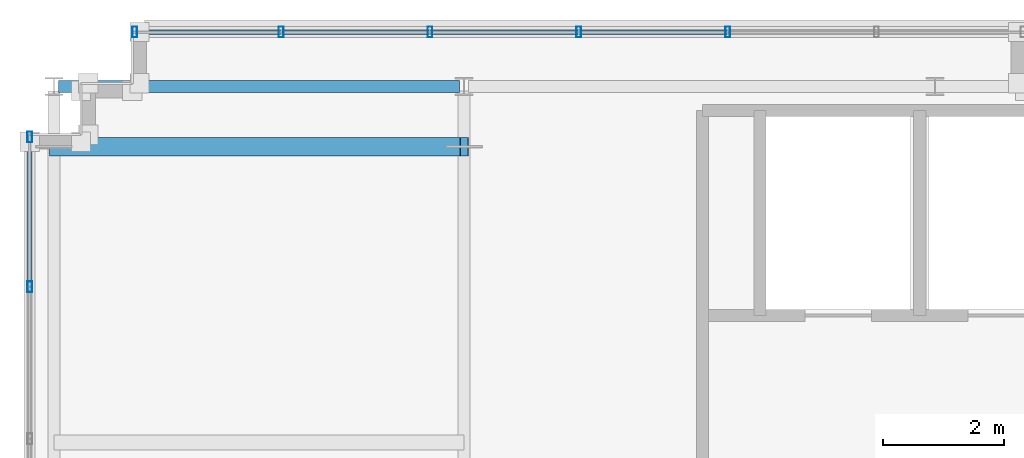
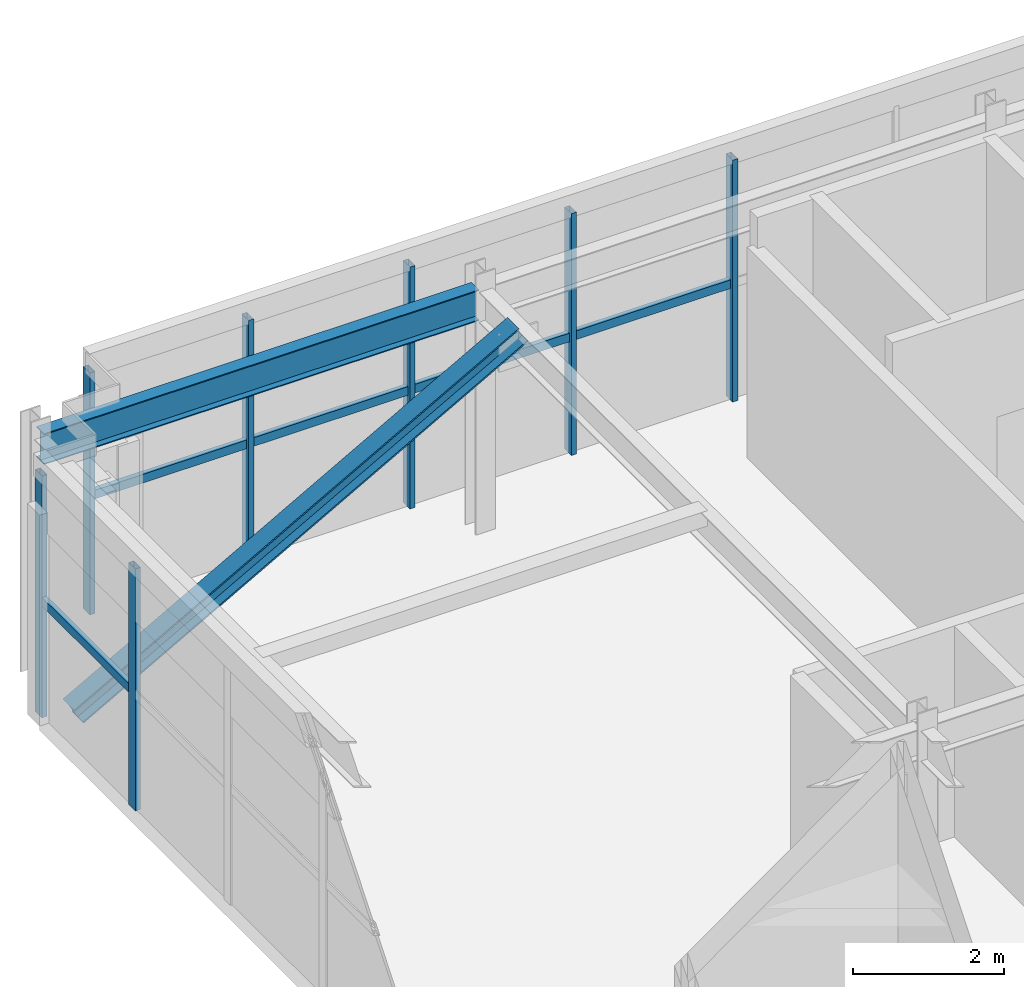
# One storey, part 9 of 25: 13 members, 1 beam, 2 elements without a shape of their own.
"""IFC4 building model written with IfcOpenShell, lengths in metres."""

from ifc_helpers import new_model, si_unit, direction, frame, origin, origin_2d, place, context, subcontext, project, spatial, hollow_rectangle, i_section, extrude, source, transform, mapped, material, material_profile, profile_set, type_object, element, aggregate, save


model = new_model("IFC4")

# Units and contexts
model_context = context("Model", 3, precision=1e-05, world=origin(), true_north=direction((0.0, 1.0)))
body_context = subcontext(model_context, "Body", "Model", "MODEL_VIEW")
ifc_project = project(units=[si_unit("LENGTHUNIT", "METRE"), si_unit("AREAUNIT", "SQUARE_METRE"), si_unit("VOLUMEUNIT", "CUBIC_METRE"), si_unit("PLANEANGLEUNIT", "RADIAN"), si_unit("MASSUNIT", "GRAM", prefix="KILO")], contexts=[model_context])

# Site, building, storey
site_placement = place(None, origin())
site = spatial("IfcSite", under=ifc_project, at=site_placement, CompositionType="ELEMENT")
building_placement = place(site_placement, origin())
building = spatial("IfcBuilding", under=site, at=building_placement, Name="Trelvane Seafront Commons", CompositionType="ELEMENT")
storey_placement = place(building_placement, frame((0.0, 0.0, 316.699951171875)))
storey = spatial("IfcBuildingStorey", under=building, at=storey_placement, Name="L82", CompositionType="ELEMENT", Elevation=316.699951171875)

# Beam
ifc_material_1 = material(Name="Steel SM355 (S355)", Category="steel")
ifc_material_profile_1 = material_profile(ifc_material_1, i_section(OverallWidth=0.199951171875, OverallDepth=0.5, WebThickness=0.010009765625, FlangeThickness=0.01611328125, at=origin_2d()), Name="H-500x200x10x16")
ifc_profile_set_1 = profile_set([ifc_material_profile_1], Name="Steel SM355 (S355)")
beam_type = type_object("IfcBeamType", Name="STR-CROWN-FRAME-RING", PredefinedType="SPANDREL", material=ifc_profile_set_1)
shared_shape_1 = source(origin(), body_context, "Body", "SweptSolid", [
    extrude(i_section(OverallWidth=0.199951171875, OverallDepth=0.5, WebThickness=0.010009765625, FlangeThickness=0.01611328125, at=origin_2d()), origin(), (0.0, 0.0, 1.0), 6.64990234375),
])
beam_placement = place(storey_placement, frame((8.875, 45.10009765625, 3.66015625), z_axis=(1.0, 0.0, 0.0), x_axis=(0.0, 1.0, 0.0)))
element("IfcBeam", 1, at=beam_placement, inside=storey, type_object=beam_type, Name="L82 CROWN FRAME Ring Beam G-09", PredefinedType="SPANDREL", context=body_context, shape_type="MappedRepresentation", body=[
    mapped(shared_shape_1, transform((0.0, 0.0, 0.0), x_axis=(1.0, 0.0, 0.0), y_axis=(0.0, 1.0, 0.0), z_axis=(0.0, 0.0, 1.0), scale=1.0)),
])

# Member
ifc_material_profile_2 = material_profile(ifc_material_1, i_section(OverallWidth=0.300048828125, OverallDepth=0.300048828125, WebThickness=0.014892578125, FlangeThickness=0.02392578125, at=origin_2d()), Name="HD-300x300x15x24")
ifc_profile_set_2 = profile_set([ifc_material_profile_2], Name="Steel SM355 (S355)")
member_type_1 = type_object("IfcMemberType", Name="STR-CROWN-FRAME-BRC", PredefinedType="BRACE", material=ifc_profile_set_2)
shared_shape_2 = source(origin(), body_context, "Body", "SweptSolid", [
    extrude(i_section(OverallWidth=0.300048828125, OverallDepth=0.300048828125, WebThickness=0.014892578125, FlangeThickness=0.02392578125, at=origin_2d()), origin(), (0.0, 0.0, 1.0), 7.784912109375),
])
member_1_placement = place(storey_placement, frame((8.800048828125, 44.10009765625, 0.0), z_axis=(0.873489296965, 0.0, 0.486843350666), x_axis=(0.0, 1.0, 0.0)))
element("IfcMember", 2, at=member_1_placement, inside=storey, type_object=member_type_1, Name="L82 CROWN FRAME Diagonal Brace CW", PredefinedType="BRACE", context=body_context, shape_type="MappedRepresentation", body=[
    mapped(shared_shape_2, transform((0.0, 0.0, 0.0), x_axis=(1.0, 0.0, 0.0), y_axis=(0.0, 1.0, 0.0), z_axis=(0.0, 0.0, 1.0), scale=1.0)),
])

# Curtain wall, members
ifc_material_2 = material(Name="Anodised pale-silver aluminium", Category="aluminium")
curtain_wall_type = type_object("IfcCurtainWallType", Name="ARCH-CW6-CROWN", PredefinedType="NOTDEFINED", material=ifc_material_2)
curtain_wall_1_placement = place(storey_placement, origin())
curtain_wall_1 = element("IfcCurtainWall", 3, at=curtain_wall_1_placement, inside=storey, type_object=curtain_wall_type, Name="CW-L82-0152", PredefinedType="NOTDEFINED")
ifc_material_profile_3 = material_profile(ifc_material_2, hollow_rectangle(XDim=0.080078125, YDim=0.179931640625, WallThickness=0.00439453125, at=origin_2d()), Name="MULL-80x180x4.5")
ifc_profile_set_3 = profile_set([ifc_material_profile_3], Name="Anodised pale-silver aluminium")
member_type_2 = type_object("IfcMemberType", Name="ARCH-CW-MULL-180", PredefinedType="MULLION", material=ifc_profile_set_3)
shared_shape_3 = source(origin(), body_context, "Body", "SweptSolid", [
    extrude(hollow_rectangle(XDim=0.080078125, YDim=0.179931640625, WallThickness=0.00439453125, at=origin_2d()), origin(), (0.0, 0.0, 1.0), 3.91015625),
])
member_2_placement = place(storey_placement, frame((8.39990234375, 41.780029296875, 0.0), z_axis=(0.0, 0.0, 1.0), x_axis=(1.0, 0.0, 0.0)))
member_2 = element("IfcMember", 4, at=member_2_placement, type_object=member_type_2, Name="CW-L82-0152-M09", PredefinedType="MULLION", context=body_context, shape_type="MappedRepresentation", body=[
    mapped(shared_shape_3, transform((0.0, 0.0, 0.0), x_axis=(1.0, 0.0, 0.0), y_axis=(0.0, 1.0, 0.0), z_axis=(0.0, 0.0, 1.0), scale=1.0)),
])
member_3_placement = place(storey_placement, frame((8.39990234375, 44.260009765625, 0.0), z_axis=(0.0, 0.0, 1.0), x_axis=(1.0, 0.0, 0.0)))
member_3 = element("IfcMember", 5, at=member_3_placement, type_object=member_type_2, Name="CW-L82-0152-M10", PredefinedType="MULLION", context=body_context, shape_type="MappedRepresentation", body=[
    mapped(shared_shape_3, transform((0.0, 0.0, 0.0), x_axis=(1.0, 0.0, 0.0), y_axis=(0.0, 1.0, 0.0), z_axis=(0.0, 0.0, 1.0), scale=1.0)),
])

curtain_wall_2_placement = place(storey_placement, origin())
curtain_wall_2 = element("IfcCurtainWall", 6, at=curtain_wall_2_placement, inside=storey, type_object=curtain_wall_type, Name="CW-L82-0153", PredefinedType="NOTDEFINED")
member_4_placement = place(storey_placement, frame((10.139892578125, 46.0, 0.0), z_axis=(0.0, 0.0, 1.0), x_axis=(1.0, 0.0, 0.0)))
member_4 = element("IfcMember", 7, at=member_4_placement, type_object=member_type_2, Name="CW-L82-0153-M00", PredefinedType="MULLION", context=body_context, shape_type="MappedRepresentation", body=[
    mapped(shared_shape_3, transform((0.0, 0.0, 0.0), x_axis=(1.0, 0.0, 0.0), y_axis=(0.0, 1.0, 0.0), z_axis=(0.0, 0.0, 1.0), scale=1.0)),
])
member_5_placement = place(storey_placement, frame((12.566650390625, 46.0, 0.0), z_axis=(0.0, 0.0, 1.0), x_axis=(1.0, 0.0, 0.0)))
member_5 = element("IfcMember", 8, at=member_5_placement, type_object=member_type_2, Name="CW-L82-0153-M01", PredefinedType="MULLION", context=body_context, shape_type="MappedRepresentation", body=[
    mapped(shared_shape_3, transform((0.0, 0.0, 0.0), x_axis=(1.0, 0.0, 0.0), y_axis=(0.0, 1.0, 0.0), z_axis=(0.0, 0.0, 1.0), scale=1.0)),
])
member_6_placement = place(storey_placement, frame((15.033203125, 46.0, 0.0), z_axis=(0.0, 0.0, 1.0), x_axis=(1.0, 0.0, 0.0)))
member_6 = element("IfcMember", 9, at=member_6_placement, type_object=member_type_2, Name="CW-L82-0153-M02", PredefinedType="MULLION", context=body_context, shape_type="MappedRepresentation", body=[
    mapped(shared_shape_3, transform((0.0, 0.0, 0.0), x_axis=(1.0, 0.0, 0.0), y_axis=(0.0, 1.0, 0.0), z_axis=(0.0, 0.0, 1.0), scale=1.0)),
])
member_7_placement = place(storey_placement, frame((17.5, 46.0, 0.0), z_axis=(0.0, 0.0, 1.0), x_axis=(1.0, 0.0, 0.0)))
member_7 = element("IfcMember", 10, at=member_7_placement, type_object=member_type_2, Name="CW-L82-0153-M03", PredefinedType="MULLION", context=body_context, shape_type="MappedRepresentation", body=[
    mapped(shared_shape_3, transform((0.0, 0.0, 0.0), x_axis=(1.0, 0.0, 0.0), y_axis=(0.0, 1.0, 0.0), z_axis=(0.0, 0.0, 1.0), scale=1.0)),
])
member_8_placement = place(storey_placement, frame((19.966796875, 46.0, 0.0), z_axis=(0.0, 0.0, 1.0), x_axis=(1.0, 0.0, 0.0)))
member_8 = element("IfcMember", 11, at=member_8_placement, type_object=member_type_2, Name="CW-L82-0153-M04", PredefinedType="MULLION", context=body_context, shape_type="MappedRepresentation", body=[
    mapped(shared_shape_3, transform((0.0, 0.0, 0.0), x_axis=(1.0, 0.0, 0.0), y_axis=(0.0, 1.0, 0.0), z_axis=(0.0, 0.0, 1.0), scale=1.0)),
])

# Member
ifc_material_profile_4 = material_profile(ifc_material_2, hollow_rectangle(XDim=0.074951171875, YDim=0.139892578125, WallThickness=0.00390625, at=origin_2d()), Name="TRAN-75x140x4")
ifc_profile_set_4 = profile_set([ifc_material_profile_4], Name="Anodised pale-silver aluminium")
member_type_3 = type_object("IfcMemberType", Name="ARCH-CW-TRAN-140", PredefinedType="USERDEFINED", material=ifc_profile_set_4)
shared_shape_4 = source(origin(), body_context, "Body", "SweptSolid", [
    extrude(hollow_rectangle(XDim=0.074951171875, YDim=0.139892578125, WallThickness=0.00390625, at=origin_2d()), origin(), (0.0, 0.0, 1.0), 2.49609375),
])
member_9_placement = place(storey_placement, frame((8.39990234375, 41.7919921875, 1.876953125), z_axis=(0.0, 1.0, 0.0), x_axis=(-1.0, 0.0, 0.0)))
member_9 = element("IfcMember", 12, at=member_9_placement, type_object=member_type_3, Name="CW-L82-0152-T09", ObjectType="TRANSOM", PredefinedType="USERDEFINED", context=body_context, shape_type="MappedRepresentation", body=[
    mapped(shared_shape_4, transform((0.0, 0.0, 0.0), x_axis=(1.0, 0.0, 0.0), y_axis=(0.0, 1.0, 0.0), z_axis=(0.0, 0.0, 1.0), scale=1.0)),
])

aggregate(curtain_wall_1, [member_2, member_3, member_9])

shared_shape_5 = source(origin(), body_context, "Body", "SweptSolid", [
    extrude(hollow_rectangle(XDim=0.074951171875, YDim=0.139892578125, WallThickness=0.00390625, at=origin_2d()), origin(), (0.0, 0.0, 1.0), 2.442626953125),
])
member_10_placement = place(storey_placement, frame((10.112060546875, 46.0, 1.876953125), z_axis=(1.0, 0.0, 0.0), x_axis=(0.0, 1.0, 0.0)))
member_10 = element("IfcMember", 13, at=member_10_placement, type_object=member_type_3, Name="CW-L82-0153-T00", ObjectType="TRANSOM", PredefinedType="USERDEFINED", context=body_context, shape_type="MappedRepresentation", body=[
    mapped(shared_shape_5, transform((0.0, 0.0, 0.0), x_axis=(1.0, 0.0, 0.0), y_axis=(0.0, 1.0, 0.0), z_axis=(0.0, 0.0, 1.0), scale=1.0)),
])

member_11_placement = place(storey_placement, frame((12.57861328125, 46.0, 1.876953125), z_axis=(1.0, 0.0, 0.0), x_axis=(0.0, 1.0, 0.0)))
member_11 = element("IfcMember", 14, at=member_11_placement, type_object=member_type_3, Name="CW-L82-0153-T01", ObjectType="TRANSOM", PredefinedType="USERDEFINED", context=body_context, shape_type="MappedRepresentation", body=[
    mapped(shared_shape_5, transform((0.0, 0.0, 0.0), x_axis=(1.0, 0.0, 0.0), y_axis=(0.0, 1.0, 0.0), z_axis=(0.0, 0.0, 1.0), scale=1.0)),
])

member_12_placement = place(storey_placement, frame((15.04541015625, 46.0, 1.876953125), z_axis=(1.0, 0.0, 0.0), x_axis=(0.0, 1.0, 0.0)))
member_12 = element("IfcMember", 15, at=member_12_placement, type_object=member_type_3, Name="CW-L82-0153-T02", ObjectType="TRANSOM", PredefinedType="USERDEFINED", context=body_context, shape_type="MappedRepresentation", body=[
    mapped(shared_shape_5, transform((0.0, 0.0, 0.0), x_axis=(1.0, 0.0, 0.0), y_axis=(0.0, 1.0, 0.0), z_axis=(0.0, 0.0, 1.0), scale=1.0)),
])

member_13_placement = place(storey_placement, frame((17.511962890625, 46.0, 1.876953125), z_axis=(1.0, 0.0, 0.0), x_axis=(0.0, 1.0, 0.0)))
member_13 = element("IfcMember", 16, at=member_13_placement, type_object=member_type_3, Name="CW-L82-0153-T03", ObjectType="TRANSOM", PredefinedType="USERDEFINED", context=body_context, shape_type="MappedRepresentation", body=[
    mapped(shared_shape_5, transform((0.0, 0.0, 0.0), x_axis=(1.0, 0.0, 0.0), y_axis=(0.0, 1.0, 0.0), z_axis=(0.0, 0.0, 1.0), scale=1.0)),
])

aggregate(curtain_wall_2, [member_4, member_5, member_6, member_7, member_8, member_10, member_11, member_12, member_13])

save(model, "model.ifc")
